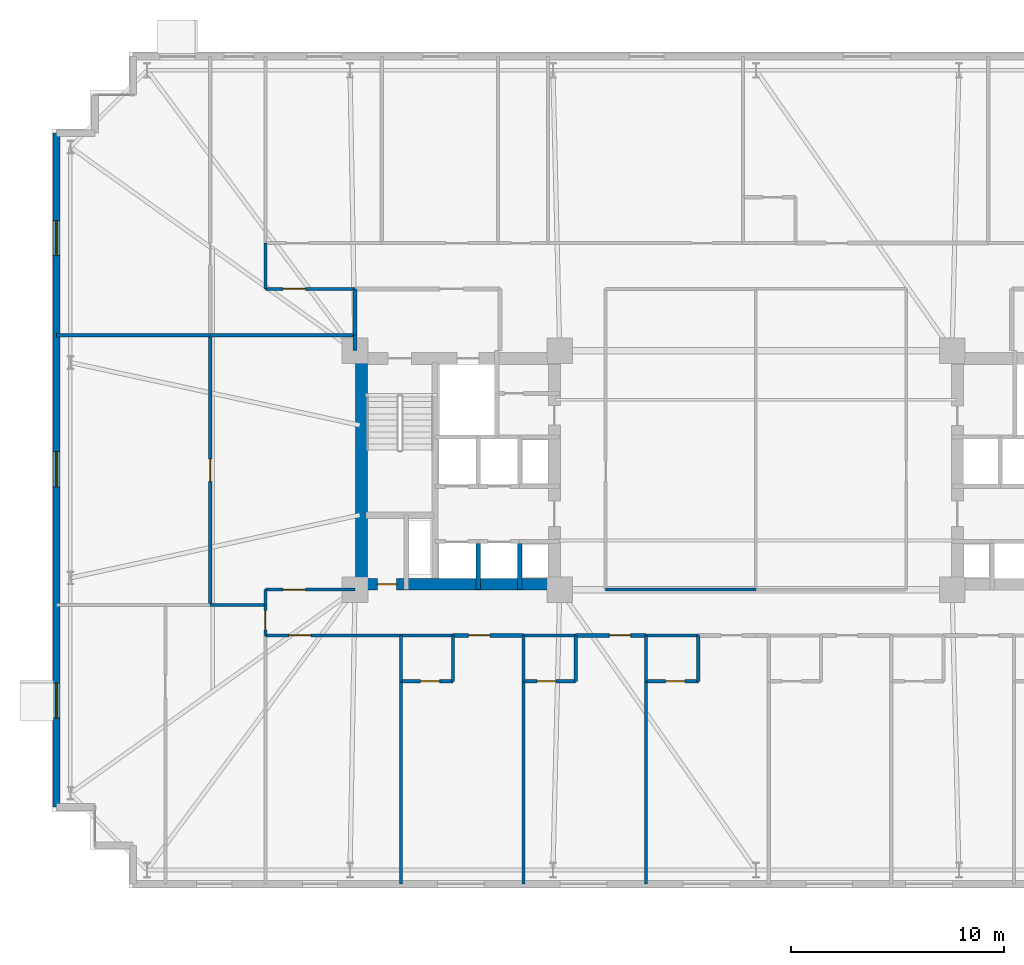
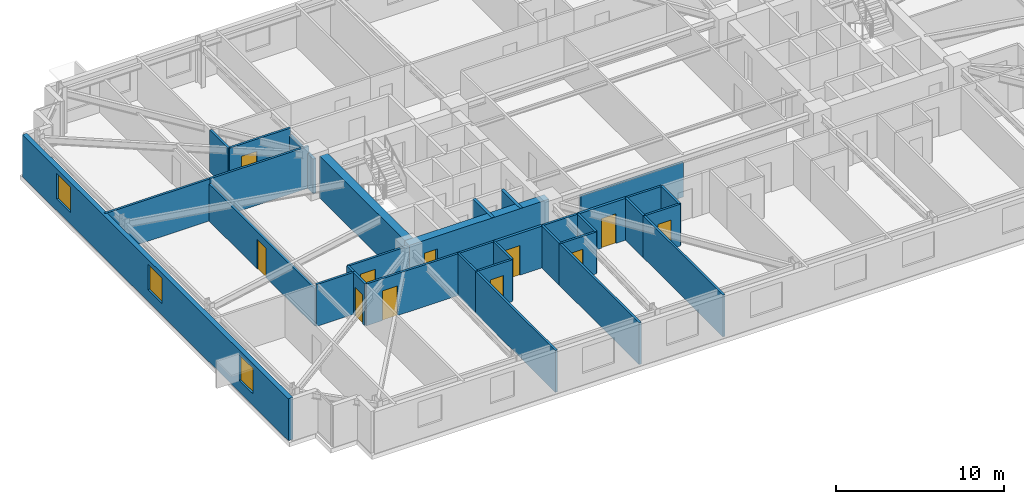
# One storey, part 14 of 20: 35 walls, 11 doors, 3 windows, 14 openings.
"""IFC4 building model written with IfcOpenShell, lengths in metres."""

import ifcopenshell
import ifcopenshell.guid

model = None  # the IFC model being written
_history = None  # IfcOwnerHistory: only IFC2X3 demands one
_inside = {}  # id of a spatial element -> (the spatial element, [elements in it])
_under = {}  # id of a project, library or spatial element -> (it, [spatial elements below it])
_declared = {}  # id of a project -> (the project, [libraries it declares])
_typed = {}  # id of a type object -> (the type object, [elements of that type])
_made_of = {}  # id of a material, layer set ... -> (it, [elements and type objects made of it])


def new_model(schema):
    """Start an empty IFC model of exactly this schema.

    Asked for "IFC4X3", IfcOpenShell would pick the latest addendum, in which some entities
    have other attributes; the version numbers below select the first issue.
    IFC2X3 requires an IfcOwnerHistory on every rooted entity: one is made here for all.
    """
    global model, _history
    if schema == "IFC4X3":
        model = ifcopenshell.file(schema_version=(4, 3, 0, 0))
    else:
        model = ifcopenshell.file(schema=schema)
    _inside.clear()
    _under.clear()
    _declared.clear()
    _typed.clear()
    _made_of.clear()
    _history = None
    if model.schema == "IFC2X3":
        org = make("IfcOrganization", Name="unknown")
        user = make(
            "IfcPersonAndOrganization",
            ThePerson=make("IfcPerson", FamilyName="unknown"),
            TheOrganization=org,
        )
        app = make(
            "IfcApplication",
            ApplicationDeveloper=org,
            Version="unknown",
            ApplicationFullName="unknown",
            ApplicationIdentifier="unknown",
        )
        _history = make(
            "IfcOwnerHistory",
            OwningUser=user,
            OwningApplication=app,
            ChangeAction="ADDED",
            CreationDate=0,
        )
    return model


def make(cls, **values):
    """One entity of the class cls with the attributes given. An attribute that is None is left unset."""
    return model.create_entity(
        cls, **{name: value for name, value in values.items() if value is not None}
    )


def rooted(cls, **values):
    """An entity with a GlobalId (a new one), such as an element, a storey or a relation."""
    return make(cls, GlobalId=ifcopenshell.guid.new(), OwnerHistory=_history, **values)


def si_unit(unit_type, name, prefix=None):
    """IfcSIUnit, for example si_unit("LENGTHUNIT", "METRE", prefix="MILLI")."""
    return make("IfcSIUnit", UnitType=unit_type, Prefix=prefix, Name=name)


def assignment(units):
    """IfcUnitAssignment: the units of a project."""
    return None if units is None else make("IfcUnitAssignment", Units=units)


def point(xyz):
    """IfcCartesianPoint."""
    return None if xyz is None else make("IfcCartesianPoint", Coordinates=xyz)


def direction(xyz):
    """IfcDirection."""
    return None if xyz is None else make("IfcDirection", DirectionRatios=xyz)


def frame(location, z_axis=None, x_axis=None):
    """IfcAxis2Placement3D, a coordinate frame: its origin and axes. An axis left out is left unset."""
    return make(
        "IfcAxis2Placement3D",
        Location=point(location),
        Axis=direction(z_axis),
        RefDirection=direction(x_axis),
    )


def frame_2d(location, x_axis=None):
    """IfcAxis2Placement2D, a coordinate frame in the plane: its origin and x axis."""
    return make(
        "IfcAxis2Placement2D", Location=point(location), RefDirection=direction(x_axis)
    )


def origin():
    """The frame at (0, 0, 0) with its axes left unset."""
    return frame((0.0, 0.0, 0.0))


def place(relative_to, where):
    """IfcLocalPlacement: puts the frame where relative to a parent placement (None: the world)."""
    return make(
        "IfcLocalPlacement", PlacementRelTo=relative_to, RelativePlacement=where
    )


def context(
    kind, dimensions, precision=None, world=None, true_north=None, identifier=None
):
    """IfcGeometricRepresentationContext, for example the 3D "Model" context."""
    return make(
        "IfcGeometricRepresentationContext",
        ContextIdentifier=identifier,
        ContextType=kind,
        CoordinateSpaceDimension=dimensions,
        Precision=precision,
        WorldCoordinateSystem=world,
        TrueNorth=true_north,
    )


def subcontext(parent, identifier, kind, view, scale=None):
    """IfcGeometricRepresentationSubContext, for example "Body" below "Model"."""
    return make(
        "IfcGeometricRepresentationSubContext",
        ContextIdentifier=identifier,
        ContextType=kind,
        ParentContext=parent,
        TargetScale=scale,
        TargetView=view,
    )


def project(units=None, contexts=None):
    """IfcProject with its units and contexts."""
    return rooted(
        "IfcProject",
        Name="project",
        RepresentationContexts=contexts,
        UnitsInContext=assignment(units),
    )


def spatial(cls, under=None, at=None, **own):
    """A site, building, storey or space (cls), placed at a placement, below another one or the project."""
    s = rooted(cls, ObjectPlacement=at, **own)
    if under is not None:
        _under.setdefault(under.id(), (under, []))[1].append(s)
    return s


def profile(cls, at=None, kind="AREA", **sizes):
    """A parametric profile (cls). Its sizes go by their IFC names, for example OverallWidth=200.0."""
    return make(cls, ProfileType=kind, Position=at, **sizes)


def rectangle(**sizes):
    """IfcRectangleProfileDef."""
    return profile("IfcRectangleProfileDef", **sizes)


def extrude(swept, where, along, depth):
    """IfcExtrudedAreaSolid: the profile swept, set in the frame where, extruded along a direction by depth."""
    return make(
        "IfcExtrudedAreaSolid",
        SweptArea=swept,
        Position=where,
        ExtrudedDirection=direction(along),
        Depth=depth,
    )


def shape(context_of_items, identifier, shape_type, items):
    """IfcShapeRepresentation: the items that make up one representation, for example the "Body"."""
    return make(
        "IfcShapeRepresentation",
        ContextOfItems=context_of_items,
        RepresentationIdentifier=identifier,
        RepresentationType=shape_type,
        Items=items,
    )


def material(Name=None, Category=None):
    """IfcMaterial."""
    return make("IfcMaterial", Name=Name, Category=Category)


def layer(
    of_material, thickness, ventilated=None, Name=None, Category=None, Priority=None
):
    """IfcMaterialLayer: one layer of a wall or slab, of a material (None: an air gap)."""
    return make(
        "IfcMaterialLayer",
        Material=of_material,
        LayerThickness=thickness,
        IsVentilated=ventilated,
        Name=Name,
        Category=Category,
        Priority=Priority,
    )


def layer_set(layers, Name=None):
    """IfcMaterialLayerSet."""
    return make("IfcMaterialLayerSet", MaterialLayers=layers, LayerSetName=Name)


def made_of(thing, what):
    """Note that an element or type object is made of a material, layer set ...; save() writes the relation."""
    if what is not None:
        _made_of.setdefault(what.id(), (what, []))[1].append(thing)
    return thing


def type_object(cls, material=None, **own):
    """A type object (cls), such as IfcWallType, which elements share."""
    return made_of(rooted(cls, **own), material)


def element(
    cls,
    number,
    at=None,
    inside=None,
    cuts=None,
    type_object=None,
    material=None,
    context=None,
    identifier="Body",
    shape_type=None,
    held_by="IfcProductDefinitionShape",
    body=None,
    shapes=None,
    **own,
):
    """One element of the class cls, such as IfcWall. Its Tag is "e" and its number.

    at: its placement. inside: the storey or other place that contains it. cuts: it is an
    opening in that element (IfcRelVoidsElement). A single representation is given by context,
    identifier, shape_type and body (its items); several are given by shapes. held_by: the class
    of the entity that holds the representations. save() writes the other relations.
    """
    e = rooted(cls, Tag="e%d" % number, ObjectPlacement=at, **own)
    if body is not None:
        shapes = [shape(context, identifier, shape_type, body)]
    if shapes is not None:
        e.Representation = make(held_by, Representations=shapes)
    if inside is not None:
        _inside.setdefault(inside.id(), (inside, []))[1].append(e)
    if cuts is not None:
        rooted(
            "IfcRelVoidsElement", RelatingBuildingElement=cuts, RelatedOpeningElement=e
        )
    if type_object is not None:
        _typed.setdefault(type_object.id(), (type_object, []))[1].append(e)
    return made_of(e, material)


def fill(opening, filler):
    """IfcRelFillsElement: the door or window that sits in an opening."""
    return rooted(
        "IfcRelFillsElement",
        RelatingOpeningElement=opening,
        RelatedBuildingElement=filler,
    )


def aggregate(whole, parts):
    """IfcRelAggregates: a whole, such as a stair, and the parts it consists of."""
    return rooted("IfcRelAggregates", RelatingObject=whole, RelatedObjects=parts)


def save(model, path):
    """Write the relations noted so far, then the file.

    IfcRelAggregates (storeys below a building ...), IfcRelContainedInSpatialStructure (elements
    in a storey), IfcRelDefinesByType, IfcRelAssociatesMaterial and IfcRelDeclares: one each for
    every whole, place, type object, material and project.
    """
    for whole, parts in _under.values():
        aggregate(whole, parts)
    for where, things in _inside.values():
        rooted(
            "IfcRelContainedInSpatialStructure",
            RelatedElements=things,
            RelatingStructure=where,
        )
    for kind, things in _typed.values():
        rooted("IfcRelDefinesByType", RelatedObjects=things, RelatingType=kind)
    for what, things in _made_of.values():
        rooted("IfcRelAssociatesMaterial", RelatedObjects=things, RelatingMaterial=what)
    for by, libraries in _declared.values():
        rooted("IfcRelDeclares", RelatingContext=by, RelatedDefinitions=libraries)
    model.write(path)


model = new_model("IFC4")

# Units and contexts
model_context = context("Model", 3, precision=1e-05, world=origin(), true_north=direction((0.0, 1.0)))
body_context = subcontext(model_context, "Body", "Model", "MODEL_VIEW")
ifc_project = project(units=[si_unit("LENGTHUNIT", "METRE"), si_unit("AREAUNIT", "SQUARE_METRE"), si_unit("VOLUMEUNIT", "CUBIC_METRE"), si_unit("PLANEANGLEUNIT", "RADIAN"), si_unit("MASSUNIT", "GRAM", prefix="KILO")], contexts=[model_context])

# Site, building, storey
site_placement = place(None, origin())
site = spatial("IfcSite", under=ifc_project, at=site_placement, CompositionType="ELEMENT")
building_placement = place(site_placement, origin())
building = spatial("IfcBuilding", under=site, at=building_placement, Name="Qobustan Lattice House", CompositionType="ELEMENT")
storey_placement = place(building_placement, frame((0.0, 0.0, 63.85009765625)))
storey = spatial("IfcBuildingStorey", under=building, at=storey_placement, Name="L17", CompositionType="ELEMENT", Elevation=63.85009765625)

# Wall, opening, door
ifc_material_1 = material(Name="Concrete C60/75", Category="concrete")
ifc_layer_1 = layer(ifc_material_1, 0.56005859375)
ifc_layer_set_1 = layer_set([ifc_layer_1], Name="Concrete C60/75")
wall_type_1 = type_object("IfcWallType", Name="WAL-CORE-600", PredefinedType="SHEAR", material=ifc_layer_set_1)
wall_1_placement = place(storey_placement, frame((-18.800048828125, -5.35009765625, 0.0), z_axis=(0.0, 0.0, 1.0), x_axis=(1.0, 0.0, 0.0)))
wall_1 = element("IfcWall", 1, at=wall_1_placement, inside=storey, type_object=wall_type_1, Name="L17 split-core shear wall CW-S", PredefinedType="SHEAR", context=body_context, shape_type="SweptSolid", body=[
    extrude(rectangle(XDim=9.60009765625, YDim=0.56005859375, at=frame_2d((4.800048828125, 0.0))), origin(), (0.0, 0.0, 1.0), 3.034912109375),
])
opening_1_placement = place(wall_1_placement, frame((1.050048828125, 0.0, 0.0)))
opening_1 = element("IfcOpeningElement", 2, at=opening_1_placement, cuts=wall_1, Name="Opening RD-01", PredefinedType="OPENING", context=body_context, shape_type="SweptSolid", body=[
    extrude(rectangle(XDim=0.89990234375, YDim=2.10009765625, at=frame_2d((0.449951171875, 1.050048828125))), frame((0.0, 0.2900390625, 0.0), z_axis=(0.0, -1.0, 0.0), x_axis=(1.0, 0.0, 0.0)), (0.0, 0.0, 1.0), 0.580078125),
])
ifc_material_2 = material(Name="Persian walnut timber and steel frame door", Category="steel")
door_type_1 = type_object("IfcDoorType", Name="DOR-RISER-FD-900x2100", OperationType="NOTDEFINED", PredefinedType="DOOR", material=ifc_material_2)
door_1_placement = place(opening_1_placement, origin())
door_1 = element("IfcDoor", 3, at=door_1_placement, inside=storey, type_object=door_type_1, Name="L17 core service riser access door W", OperationType="SINGLE_SWING_RIGHT", OverallHeight=2.10009765625, OverallWidth=0.89990234375, PredefinedType="DOOR", context=body_context, shape_type="SweptSolid", body=[
    extrude(rectangle(XDim=0.89990234375, YDim=2.10009765625, at=frame_2d((0.449951171875, 1.050048828125))), frame((0.0, 0.02490234375, 0.0), z_axis=(0.0, -1.0, 0.0), x_axis=(1.0, 0.0, 0.0)), (0.0, 0.0, 1.0), 0.050048828125),
])
fill(opening_1, door_1)

# Wall
wall_2_placement = place(storey_placement, frame((-18.489990234375, -5.050048828125, 0.0), z_axis=(0.0, 0.0, 1.0), x_axis=(0.0, 1.0, 0.0)))
element("IfcWall", 4, at=wall_2_placement, inside=storey, type_object=wall_type_1, Name="L17 split-core shear wall CW-W", PredefinedType="SHEAR", context=body_context, shape_type="SweptSolid", body=[
    extrude(rectangle(XDim=10.10009765625, YDim=0.56005859375, at=frame_2d((5.050048828125, 0.0))), origin(), (0.0, 0.0, 1.0), 3.034912109375),
])

# Wall, openings, windows
ifc_material_3 = material(Name="Precast concrete C40/50", Category="concrete")
ifc_layer_2 = layer(ifc_material_3, 0.320068359375)
ifc_layer_set_2 = layer_set([ifc_layer_2], Name="Precast concrete C40/50")
wall_type_2 = type_object("IfcWallType", Name="WAL-EXT-STONE-320", PredefinedType="SOLIDWALL", material=ifc_layer_set_2)
wall_3_placement = place(storey_placement, frame((-32.800048828125, -15.800048828125, 0.0), z_axis=(0.0, 0.0, 1.0), x_axis=(0.0, 1.0, 0.0)))
wall_3 = element("IfcWall", 5, at=wall_3_placement, inside=storey, type_object=wall_type_2, Name="L17 exterior limestone-clad wall 5", PredefinedType="SOLIDWALL", context=body_context, shape_type="SweptSolid", body=[
    extrude(rectangle(XDim=31.60009765625, YDim=0.320068359375, at=frame_2d((15.800048828125, 0.0))), origin(), (0.0, 0.0, 1.0), 3.034912109375),
])
opening_2_placement = place(wall_3_placement, frame((4.175048828125, 0.0, 0.85009765625)))
opening_2 = element("IfcOpeningElement", 6, at=opening_2_placement, cuts=wall_3, Name="Opening WN-09", PredefinedType="OPENING", context=body_context, shape_type="SweptSolid", body=[
    extrude(rectangle(XDim=1.64990234375, YDim=1.85009765625, at=frame_2d((0.824951171875, 0.925048828125))), frame((0.0, 0.169921875, 0.0), z_axis=(0.0, -1.0, 0.0), x_axis=(1.0, 0.0, 0.0)), (0.0, 0.0, 1.0), 0.340087890625),
])
opening_3_placement = place(wall_3_placement, frame((15.014892578125, 0.0, 0.85009765625)))
opening_3 = element("IfcOpeningElement", 7, at=opening_3_placement, cuts=wall_3, Name="Opening WN-09", PredefinedType="OPENING", context=body_context, shape_type="SweptSolid", body=[
    extrude(rectangle(XDim=1.64990234375, YDim=1.85009765625, at=frame_2d((0.824951171875, 0.925048828125))), frame((0.0, 0.169921875, 0.0), z_axis=(0.0, -1.0, 0.0), x_axis=(1.0, 0.0, 0.0)), (0.0, 0.0, 1.0), 0.340087890625),
])
opening_4_placement = place(wall_3_placement, frame((25.85498046875, 0.0, 0.85009765625)))
opening_4 = element("IfcOpeningElement", 8, at=opening_4_placement, cuts=wall_3, Name="Opening WN-09", PredefinedType="OPENING", context=body_context, shape_type="SweptSolid", body=[
    extrude(rectangle(XDim=1.64990234375, YDim=1.85009765625, at=frame_2d((0.824951171875, 0.925048828125))), frame((0.0, 0.169921875, 0.0), z_axis=(0.0, -1.0, 0.0), x_axis=(1.0, 0.0, 0.0)), (0.0, 0.0, 1.0), 0.340087890625),
])
ifc_material_4 = material(Name="Double-glazed low-E aluminium window", Category="aluminium")
window_type = type_object("IfcWindowType", Name="WIN-STU-1650x1850", PartitioningType="SINGLE_PANEL", PredefinedType="WINDOW", material=ifc_material_4)
window_1_placement = place(opening_2_placement, origin())
window_1 = element("IfcWindow", 9, at=window_1_placement, inside=storey, type_object=window_type, Name="L17 Focus study room W1A window", OverallHeight=1.85009765625, OverallWidth=1.64990234375, PartitioningType="SINGLE_PANEL", PredefinedType="WINDOW", context=body_context, shape_type="SweptSolid", body=[
    extrude(rectangle(XDim=1.64990234375, YDim=1.85009765625, at=frame_2d((0.824951171875, 0.925048828125))), frame((0.0, 0.030029296875, 0.0), z_axis=(0.0, -1.0, 0.0), x_axis=(1.0, 0.0, 0.0)), (0.0, 0.0, 1.0), 0.06005859375),
])
fill(opening_2, window_1)
window_2_placement = place(opening_3_placement, origin())
window_2 = element("IfcWindow", 10, at=window_2_placement, inside=storey, type_object=window_type, Name="L17 Focus study room W2A window", OverallHeight=1.85009765625, OverallWidth=1.64990234375, PartitioningType="SINGLE_PANEL", PredefinedType="WINDOW", context=body_context, shape_type="SweptSolid", body=[
    extrude(rectangle(XDim=1.64990234375, YDim=1.85009765625, at=frame_2d((0.824951171875, 0.925048828125))), frame((0.0, 0.030029296875, 0.0), z_axis=(0.0, -1.0, 0.0), x_axis=(1.0, 0.0, 0.0)), (0.0, 0.0, 1.0), 0.06005859375),
])
fill(opening_3, window_2)
window_3_placement = place(opening_4_placement, origin())
window_3 = element("IfcWindow", 11, at=window_3_placement, inside=storey, type_object=window_type, Name="L17 Focus study room W3A window", OverallHeight=1.85009765625, OverallWidth=1.64990234375, PartitioningType="SINGLE_PANEL", PredefinedType="WINDOW", context=body_context, shape_type="SweptSolid", body=[
    extrude(rectangle(XDim=1.64990234375, YDim=1.85009765625, at=frame_2d((0.824951171875, 0.925048828125))), frame((0.0, 0.030029296875, 0.0), z_axis=(0.0, -1.0, 0.0), x_axis=(1.0, 0.0, 0.0)), (0.0, 0.0, 1.0), 0.06005859375),
])
fill(opening_4, window_3)

# Wall, opening, door
ifc_material_5 = material(Name="Gypsum fireboard acoustic partition", Category="gypsum")
ifc_layer_3 = layer(ifc_material_5, 0.179931640625)
ifc_layer_set_3 = layer_set([ifc_layer_3], Name="Gypsum fireboard acoustic partition")
wall_type_3 = type_object("IfcWallType", Name="WAL-FIRE-180", PredefinedType="PARTITIONING", material=ifc_layer_set_3)
wall_4_placement = place(storey_placement, frame((-10.89990234375, -7.75, 0.0), z_axis=(0.0, 0.0, 1.0), x_axis=(-1.0, 0.0, 0.0)))
wall_4 = element("IfcWall", 12, at=wall_4_placement, inside=storey, type_object=wall_type_3, Name="L17 interior partition 57", PredefinedType="PARTITIONING", context=body_context, shape_type="SweptSolid", body=[
    extrude(rectangle(XDim=3.300048828125, YDim=0.179931640625, at=frame_2d((1.64990234375, 0.0))), origin(), (0.0, 0.0, 1.0), 3.034912109375),
])
opening_5_placement = place(wall_4_placement, frame((1.577392578125, 0.0, 0.0)))
opening_5 = element("IfcOpeningElement", 13, at=opening_5_placement, cuts=wall_4, Name="Opening FD-02", PredefinedType="OPENING", context=body_context, shape_type="SweptSolid", body=[
    extrude(rectangle(XDim=1.0, YDim=2.14990234375, at=frame_2d((0.5, 1.074951171875))), frame((0.0, 0.099853515625, 0.0), z_axis=(0.0, -1.0, 0.0), x_axis=(1.0, 0.0, 0.0)), (0.0, 0.0, 1.0), 0.199951171875),
])
ifc_material_6 = material(Name="Persian walnut timber and steel frame door", Category="steel")
door_type_2 = type_object("IfcDoorType", Name="DOR-UNIT-FD-1000x2150", OperationType="NOTDEFINED", PredefinedType="DOOR", material=ifc_material_6)
door_2_placement = place(opening_5_placement, origin())
door_2 = element("IfcDoor", 14, at=door_2_placement, inside=storey, type_object=door_type_2, Name="L17 South-west floor corridor to Kitchenette and studio apartment L17-S2 door", OperationType="SINGLE_SWING_LEFT", OverallHeight=2.14990234375, OverallWidth=1.0, PredefinedType="DOOR", context=body_context, shape_type="SweptSolid", body=[
    extrude(rectangle(XDim=1.0, YDim=2.14990234375, at=frame_2d((0.5, 1.074951171875))), frame((0.0, 0.02490234375, 0.0), z_axis=(0.0, -1.0, 0.0), x_axis=(1.0, 0.0, 0.0)), (0.0, 0.0, 1.0), 0.050048828125),
])
fill(opening_5, door_2)

wall_5_placement = place(storey_placement, frame((-5.14990234375, -7.75, 0.0), z_axis=(0.0, 0.0, 1.0), x_axis=(-1.0, 0.0, 0.0)))
wall_5 = element("IfcWall", 15, at=wall_5_placement, inside=storey, type_object=wall_type_3, Name="L17 interior partition 59", PredefinedType="PARTITIONING", context=body_context, shape_type="SweptSolid", body=[
    extrude(rectangle(XDim=3.300048828125, YDim=0.179931640625, at=frame_2d((1.64990234375, 0.0))), origin(), (0.0, 0.0, 1.0), 3.034912109375),
])
opening_6_placement = place(wall_5_placement, frame((0.722412109375, 0.0, 0.0)))
opening_6 = element("IfcOpeningElement", 16, at=opening_6_placement, cuts=wall_5, Name="Opening FD-02", PredefinedType="OPENING", context=body_context, shape_type="SweptSolid", body=[
    extrude(rectangle(XDim=1.0, YDim=2.14990234375, at=frame_2d((0.5, 1.074951171875))), frame((0.0, 0.099853515625, 0.0), z_axis=(0.0, -1.0, 0.0), x_axis=(1.0, 0.0, 0.0)), (0.0, 0.0, 1.0), 0.199951171875),
])
door_3_placement = place(opening_6_placement, origin())
door_3 = element("IfcDoor", 17, at=door_3_placement, inside=storey, type_object=door_type_2, Name="L17 South-west floor corridor to Kitchenette and studio apartment L17-S3 door", OperationType="SINGLE_SWING_RIGHT", OverallHeight=2.14990234375, OverallWidth=1.0, PredefinedType="DOOR", context=body_context, shape_type="SweptSolid", body=[
    extrude(rectangle(XDim=1.0, YDim=2.14990234375, at=frame_2d((0.5, 1.074951171875))), frame((0.0, 0.02490234375, 0.0), z_axis=(0.0, -1.0, 0.0), x_axis=(1.0, 0.0, 0.0)), (0.0, 0.0, 1.0), 0.050048828125),
])
fill(opening_6, door_3)

ifc_material_7 = material(Name="Acoustic twin-stud gypsum partition", Category="gypsum")
ifc_layer_4 = layer(ifc_material_7, 0.14990234375)
ifc_layer_set_4 = layer_set([ifc_layer_4], Name="Acoustic twin-stud gypsum partition")
wall_type_4 = type_object("IfcWallType", Name="WAL-PART-150", PredefinedType="PARTITIONING", material=ifc_layer_set_4)
wall_6_placement = place(storey_placement, frame((-18.800048828125, 8.5, 0.0), z_axis=(0.0, 0.0, 1.0), x_axis=(-1.0, 0.0, 0.0)))
wall_6 = element("IfcWall", 18, at=wall_6_placement, inside=storey, type_object=wall_type_4, Name="L17 interior partition 38", PredefinedType="PARTITIONING", context=body_context, shape_type="SweptSolid", body=[
    extrude(rectangle(XDim=4.199951171875, YDim=0.14990234375, at=frame_2d((2.10009765625, 0.0))), origin(), (0.0, 0.0, 1.0), 3.034912109375),
])
opening_7_placement = place(wall_6_placement, frame((2.3212890625, 0.0, 0.0)))
opening_7 = element("IfcOpeningElement", 19, at=opening_7_placement, cuts=wall_6, Name="Opening ID-02", PredefinedType="OPENING", context=body_context, shape_type="SweptSolid", body=[
    extrude(rectangle(XDim=1.050048828125, YDim=2.14990234375, at=frame_2d((0.52490234375, 1.074951171875))), frame((0.0, 0.0849609375, 0.0), z_axis=(0.0, -1.0, 0.0), x_axis=(1.0, 0.0, 0.0)), (0.0, 0.0, 1.0), 0.169921875),
])
ifc_material_8 = material(Name="Persian walnut timber and steel frame door", Category="steel")
door_type_3 = type_object("IfcDoorType", Name="DOR-STUDY-1050x2150", OperationType="NOTDEFINED", PredefinedType="DOOR", material=ifc_material_8)
door_4_placement = place(opening_7_placement, origin())
door_4 = element("IfcDoor", 20, at=door_4_placement, inside=storey, type_object=door_type_3, Name="L17 North-west floor corridor to Focus study room W3B door", OperationType="SINGLE_SWING_LEFT", OverallHeight=2.14990234375, OverallWidth=1.050048828125, PredefinedType="DOOR", context=body_context, shape_type="SweptSolid", body=[
    extrude(rectangle(XDim=1.050048828125, YDim=2.14990234375, at=frame_2d((0.52490234375, 1.074951171875))), frame((0.0, 0.02490234375, 0.0), z_axis=(0.0, -1.0, 0.0), x_axis=(1.0, 0.0, 0.0)), (0.0, 0.0, 1.0), 0.050048828125),
])
fill(opening_7, door_4)

# Wall
wall_7_placement = place(storey_placement, frame((-23.0, 8.5, 0.0), z_axis=(0.0, 0.0, 1.0), x_axis=(0.0, 1.0, 0.0)))
element("IfcWall", 21, at=wall_7_placement, inside=storey, type_object=wall_type_4, Name="L17 interior partition 39", PredefinedType="PARTITIONING", context=body_context, shape_type="SweptSolid", body=[
    extrude(rectangle(XDim=2.14990234375, YDim=0.14990234375, at=frame_2d((1.074951171875, 0.0))), origin(), (0.0, 0.0, 1.0), 3.034912109375),
])

# Wall, opening, door
wall_8_placement = place(storey_placement, frame((-23.0, -7.75, 0.0), z_axis=(0.0, 0.0, 1.0), x_axis=(0.0, 1.0, 0.0)))
wall_8 = element("IfcWall", 22, at=wall_8_placement, inside=storey, type_object=wall_type_4, Name="L17 interior partition 53", PredefinedType="PARTITIONING", context=body_context, shape_type="SweptSolid", body=[
    extrude(rectangle(XDim=1.423095703125, YDim=0.14990234375, at=frame_2d((0.71142578125, 0.0))), origin(), (0.0, 0.0, 1.0), 3.034912109375),
])
opening_8_placement = place(wall_8_placement, frame((0.261474609375, 0.0, 0.0)))
opening_8 = element("IfcOpeningElement", 23, at=opening_8_placement, cuts=wall_8, Name="Opening WD-01", PredefinedType="OPENING", context=body_context, shape_type="SweptSolid", body=[
    extrude(rectangle(XDim=0.89990234375, YDim=2.10009765625, at=frame_2d((0.449951171875, 1.050048828125))), frame((0.0, 0.0849609375, 0.0), z_axis=(0.0, -1.0, 0.0), x_axis=(1.0, 0.0, 0.0)), (0.0, 0.0, 1.0), 0.169921875),
])
ifc_material_9 = material(Name="Persian walnut timber and steel frame door", Category="steel")
door_type_4 = type_object("IfcDoorType", Name="DOR-WET-900x2100", OperationType="NOTDEFINED", PredefinedType="DOOR", material=ifc_material_9)
door_5_placement = place(opening_8_placement, origin())
door_5 = element("IfcDoor", 24, at=door_5_placement, inside=storey, type_object=door_type_4, Name="L17 South-west floor corridor to Focus study room W1B door", OperationType="SINGLE_SWING_RIGHT", OverallHeight=2.10009765625, OverallWidth=0.89990234375, PredefinedType="DOOR", context=body_context, shape_type="SweptSolid", body=[
    extrude(rectangle(XDim=0.89990234375, YDim=2.10009765625, at=frame_2d((0.449951171875, 1.050048828125))), frame((0.0, 0.02490234375, 0.0), z_axis=(0.0, -1.0, 0.0), x_axis=(1.0, 0.0, 0.0)), (0.0, 0.0, 1.0), 0.050048828125),
])
fill(opening_8, door_5)

wall_9_placement = place(storey_placement, frame((-23.0, -5.60009765625, 0.0), z_axis=(0.0, 0.0, 1.0), x_axis=(1.0, 0.0, 0.0)))
wall_9 = element("IfcWall", 25, at=wall_9_placement, inside=storey, type_object=wall_type_4, Name="L17 interior partition 54", PredefinedType="PARTITIONING", context=body_context, shape_type="SweptSolid", body=[
    extrude(rectangle(XDim=4.199951171875, YDim=0.14990234375, at=frame_2d((2.10009765625, 0.0))), origin(), (0.0, 0.0, 1.0), 3.034912109375),
])
opening_9_placement = place(wall_9_placement, frame((0.82861328125, 0.0, 0.0)))
opening_9 = element("IfcOpeningElement", 26, at=opening_9_placement, cuts=wall_9, Name="Opening ID-02", PredefinedType="OPENING", context=body_context, shape_type="SweptSolid", body=[
    extrude(rectangle(XDim=1.050048828125, YDim=2.14990234375, at=frame_2d((0.52490234375, 1.074951171875))), frame((0.0, 0.0849609375, 0.0), z_axis=(0.0, -1.0, 0.0), x_axis=(1.0, 0.0, 0.0)), (0.0, 0.0, 1.0), 0.169921875),
])
door_6_placement = place(opening_9_placement, origin())
door_6 = element("IfcDoor", 27, at=door_6_placement, inside=storey, type_object=door_type_3, Name="L17 South-west floor corridor to Focus study room W2B door", OperationType="SINGLE_SWING_LEFT", OverallHeight=2.14990234375, OverallWidth=1.050048828125, PredefinedType="DOOR", context=body_context, shape_type="SweptSolid", body=[
    extrude(rectangle(XDim=1.050048828125, YDim=2.14990234375, at=frame_2d((0.52490234375, 1.074951171875))), frame((0.0, 0.02490234375, 0.0), z_axis=(0.0, -1.0, 0.0), x_axis=(1.0, 0.0, 0.0)), (0.0, 0.0, 1.0), 0.050048828125),
])
fill(opening_9, door_6)

# Wall
wall_10_placement = place(storey_placement, frame((-23.0, -6.326904296875, 0.0), z_axis=(0.0, 0.0, 1.0), x_axis=(0.0, 1.0, 0.0)))
element("IfcWall", 28, at=wall_10_placement, inside=storey, type_object=wall_type_4, Name="L17 interior partition 55", PredefinedType="PARTITIONING", context=body_context, shape_type="SweptSolid", body=[
    extrude(rectangle(XDim=0.726806640625, YDim=0.14990234375, at=frame_2d((0.36328125, 0.0))), origin(), (0.0, 0.0, 1.0), 3.034912109375),
])

# Wall, opening, door
wall_11_placement = place(storey_placement, frame((-16.64990234375, -7.75, 0.0), z_axis=(0.0, 0.0, 1.0), x_axis=(-1.0, 0.0, 0.0)))
wall_11 = element("IfcWall", 29, at=wall_11_placement, inside=storey, type_object=wall_type_4, Name="L17 interior partition 56", PredefinedType="PARTITIONING", context=body_context, shape_type="SweptSolid", body=[
    extrude(rectangle(XDim=6.35009765625, YDim=0.14990234375, at=frame_2d((3.175048828125, 0.0))), origin(), (0.0, 0.0, 1.0), 3.034912109375),
])
opening_10_placement = place(wall_11_placement, frame((4.202392578125, 0.0, 0.0)))
opening_10 = element("IfcOpeningElement", 30, at=opening_10_placement, cuts=wall_11, Name="Opening ID-02", PredefinedType="OPENING", context=body_context, shape_type="SweptSolid", body=[
    extrude(rectangle(XDim=1.050048828125, YDim=2.14990234375, at=frame_2d((0.52490234375, 1.074951171875))), frame((0.0, 0.0849609375, 0.0), z_axis=(0.0, -1.0, 0.0), x_axis=(1.0, 0.0, 0.0)), (0.0, 0.0, 1.0), 0.169921875),
])
door_7_placement = place(opening_10_placement, origin())
door_7 = element("IfcDoor", 31, at=door_7_placement, inside=storey, type_object=door_type_3, Name="L17 South-west floor corridor to Focus study room S1 door", OperationType="SINGLE_SWING_RIGHT", OverallHeight=2.14990234375, OverallWidth=1.050048828125, PredefinedType="DOOR", context=body_context, shape_type="SweptSolid", body=[
    extrude(rectangle(XDim=1.050048828125, YDim=2.14990234375, at=frame_2d((0.52490234375, 1.074951171875))), frame((0.0, 0.02490234375, 0.0), z_axis=(0.0, -1.0, 0.0), x_axis=(1.0, 0.0, 0.0)), (0.0, 0.0, 1.0), 0.050048828125),
])
fill(opening_10, door_7)

# Walls
wall_12_placement = place(storey_placement, frame((-7.050048828125, -5.60009765625, 0.0), z_axis=(0.0, 0.0, 1.0), x_axis=(1.0, 0.0, 0.0)))
element("IfcWall", 32, at=wall_12_placement, inside=storey, type_object=wall_type_4, Name="L17 interior partition 63", PredefinedType="PARTITIONING", context=body_context, shape_type="SweptSolid", body=[
    extrude(rectangle(XDim=7.050048828125, YDim=0.14990234375, at=frame_2d((3.52490234375, 0.0))), origin(), (0.0, 0.0, 1.0), 2.52001953125),
])
wall_13_placement = place(storey_placement, frame((-25.590087890625, -6.326904296875, 0.0), z_axis=(0.0, 0.0, 1.0), x_axis=(1.0, 0.0, 0.0)))
element("IfcWall", 33, at=wall_13_placement, inside=storey, type_object=wall_type_4, Name="L17 interior partition 80", PredefinedType="PARTITIONING", context=body_context, shape_type="SweptSolid", body=[
    extrude(rectangle(XDim=2.590087890625, YDim=0.14990234375, at=frame_2d((1.294921875, 0.0))), origin(), (0.0, 0.0, 1.0), 3.034912109375),
])

# Wall, opening, door
wall_14_placement = place(storey_placement, frame((-25.590087890625, 6.326904296875, 0.0), z_axis=(0.0, 0.0, 1.0), x_axis=(0.0, -1.0, 0.0)))
wall_14 = element("IfcWall", 34, at=wall_14_placement, inside=storey, type_object=wall_type_4, Name="L17 interior partition 82", PredefinedType="PARTITIONING", context=body_context, shape_type="SweptSolid", body=[
    extrude(rectangle(XDim=12.65380859375, YDim=0.14990234375, at=frame_2d((6.326904296875, 0.0))), origin(), (0.0, 0.0, 1.0), 2.68994140625),
])
opening_11_placement = place(wall_14_placement, frame((5.802001953125, 0.0, 0.0)))
opening_11 = element("IfcOpeningElement", 35, at=opening_11_placement, cuts=wall_14, Name="Opening ID-02", PredefinedType="OPENING", context=body_context, shape_type="SweptSolid", body=[
    extrude(rectangle(XDim=1.050048828125, YDim=2.14990234375, at=frame_2d((0.52490234375, 1.074951171875))), frame((0.0, 0.0849609375, 0.0), z_axis=(0.0, -1.0, 0.0), x_axis=(1.0, 0.0, 0.0)), (0.0, 0.0, 1.0), 0.169921875),
])
door_8_placement = place(opening_11_placement, origin())
door_8 = element("IfcDoor", 36, at=door_8_placement, inside=storey, type_object=door_type_3, Name="L17 Focus study room W2A to Focus study room W2B door", OperationType="SINGLE_SWING_RIGHT", OverallHeight=2.14990234375, OverallWidth=1.050048828125, PredefinedType="DOOR", context=body_context, shape_type="SweptSolid", body=[
    extrude(rectangle(XDim=1.050048828125, YDim=2.14990234375, at=frame_2d((0.52490234375, 1.074951171875))), frame((0.0, 0.02490234375, 0.0), z_axis=(0.0, -1.0, 0.0), x_axis=(1.0, 0.0, 0.0)), (0.0, 0.0, 1.0), 0.050048828125),
])
fill(opening_11, door_8)

# Walls
wall_15_placement = place(storey_placement, frame((-32.800048828125, 6.326904296875, 0.0), z_axis=(0.0, 0.0, 1.0), x_axis=(1.0, 0.0, 0.0)))
element("IfcWall", 37, at=wall_15_placement, inside=storey, type_object=wall_type_4, Name="L17 interior partition 83", PredefinedType="PARTITIONING", context=body_context, shape_type="SweptSolid", body=[
    extrude(rectangle(XDim=7.2099609375, YDim=0.14990234375, at=frame_2d((3.60498046875, 0.0))), origin(), (0.0, 0.0, 1.0), 3.034912109375),
])
wall_16_placement = place(storey_placement, frame((-25.590087890625, 6.326904296875, 0.0), z_axis=(0.0, 0.0, 1.0), x_axis=(1.0, 0.0, 0.0)))
element("IfcWall", 38, at=wall_16_placement, inside=storey, type_object=wall_type_4, Name="L17 interior partition 84", PredefinedType="PARTITIONING", context=body_context, shape_type="SweptSolid", body=[
    extrude(rectangle(XDim=6.7900390625, YDim=0.14990234375, at=frame_2d((3.39501953125, 0.0))), origin(), (0.0, 0.0, 1.0), 3.034912109375),
])
for number, where, z_axis, x_axis, name in (
    (39, (-16.64990234375, -9.89990234375, 0.0), (0.0, 0.0, 1.0), (0.0, -1.0, 0.0), "L17 interior partition 99"),
    (40, (-10.89990234375, -9.89990234375, 0.0), (0.0, 0.0, 1.0), (0.0, -1.0, 0.0), "L17 interior partition 103"),
    (41, (-5.14990234375, -9.89990234375, 0.0), (0.0, 0.0, 1.0), (0.0, -1.0, 0.0), "L17 interior partition 107"),
):
    element("IfcWall", number, at=place(storey_placement, frame(where, z_axis=z_axis, x_axis=x_axis)), inside=storey, type_object=wall_type_4, Name=name, PredefinedType="PARTITIONING", context=body_context, shape_type="SweptSolid", body=[
        extrude(rectangle(XDim=9.5, YDim=0.14990234375, at=frame_2d((4.75, 0.0))), origin(), (0.0, 0.0, 1.0), 3.034912109375),
    ])
ifc_material_10 = material(Name="Two-hour gypsum fireboard acoustic partition", Category="gypsum")
ifc_layer_5 = layer(ifc_material_10, 0.199951171875)
ifc_layer_set_5 = layer_set([ifc_layer_5], Name="Two-hour gypsum fireboard acoustic partition")
wall_type_5 = type_object("IfcWallType", Name="WAL-PROT-200", PredefinedType="PARTITIONING", material=ifc_layer_set_5)
wall_17_placement = place(storey_placement, frame((-18.800048828125, 6.326904296875, 0.0), z_axis=(0.0, 0.0, 1.0), x_axis=(0.0, -1.0, 0.0)))
element("IfcWall", 42, at=wall_17_placement, inside=storey, type_object=wall_type_5, Name="L17 interior partition 6", PredefinedType="PARTITIONING", context=body_context, shape_type="SweptSolid", body=[
    extrude(rectangle(XDim=0.726806640625, YDim=0.199951171875, at=frame_2d((0.36328125, 0.0))), origin(), (0.0, 0.0, 1.0), 2.52001953125),
])
wall_18_placement = place(storey_placement, frame((-18.800048828125, 8.5, 0.0), z_axis=(0.0, 0.0, 1.0), x_axis=(0.0, -1.0, 0.0)))
element("IfcWall", 43, at=wall_18_placement, inside=storey, type_object=wall_type_5, Name="L17 interior partition 7", PredefinedType="PARTITIONING", context=body_context, shape_type="SweptSolid", body=[
    extrude(rectangle(XDim=2.173095703125, YDim=0.199951171875, at=frame_2d((1.08642578125, 0.0))), origin(), (0.0, 0.0, 1.0), 2.52001953125),
])
ifc_material_11 = material(Name="Concrete C40/50", Category="concrete")
ifc_layer_6 = layer(ifc_material_11, 0.199951171875)
ifc_layer_set_6 = layer_set([ifc_layer_6], Name="Concrete C40/50")
wall_type_6 = type_object("IfcWallType", Name="WAL-SHAFT-200", PredefinedType="PARTITIONING", material=ifc_layer_set_6)
for number, where, z_axis, x_axis, name in (
    (44, (-13.02001953125, -5.60009765625, 0.0), (0.0, 0.0, 1.0), (0.0, 1.0, 0.0), "L17 interior partition 17"),
    (45, (-11.080078125, -5.60009765625, 0.0), (0.0, 0.0, 1.0), (0.0, 1.0, 0.0), "L17 interior partition 18"),
):
    element("IfcWall", number, at=place(storey_placement, frame(where, z_axis=z_axis, x_axis=x_axis)), inside=storey, type_object=wall_type_6, Name=name, PredefinedType="PARTITIONING", context=body_context, shape_type="SweptSolid", body=[
        extrude(rectangle(XDim=2.25, YDim=0.199951171875, at=frame_2d((1.125, 0.0))), origin(), (0.0, 0.0, 1.0), 3.034912109375),
    ])
ifc_material_12 = material(Name="Moisture-resistant acoustic plumbing wall", Category="gypsum")
ifc_layer_7 = layer(ifc_material_12, 0.14990234375)
ifc_layer_set_7 = layer_set([ifc_layer_7], Name="Moisture-resistant acoustic plumbing wall")
wall_type_7 = type_object("IfcWallType", Name="WAL-WET-150", PredefinedType="PLUMBINGWALL", material=ifc_layer_set_7)
for number, where, z_axis, x_axis, name in (
    (46, (-14.199951171875, -7.75, 0.0), (0.0, 0.0, 1.0), (-1.0, 0.0, 0.0), "L17 interior partition 58"),
    (47, (-8.449951171875, -7.75, 0.0), (0.0, 0.0, 1.0), (-1.0, 0.0, 0.0), "L17 interior partition 60"),
    (48, (-2.699951171875, -7.75, 0.0), (0.0, 0.0, 1.0), (-1.0, 0.0, 0.0), "L17 interior partition 62"),
):
    element("IfcWall", number, at=place(storey_placement, frame(where, z_axis=z_axis, x_axis=x_axis)), inside=storey, type_object=wall_type_7, Name=name, PredefinedType="PLUMBINGWALL", context=body_context, shape_type="SweptSolid", body=[
        extrude(rectangle(XDim=2.449951171875, YDim=0.14990234375, at=frame_2d((1.22509765625, 0.0))), origin(), (0.0, 0.0, 1.0), 3.034912109375),
    ])
wall_19_placement = place(storey_placement, frame((-16.64990234375, -7.75, 0.0), z_axis=(0.0, 0.0, 1.0), x_axis=(0.0, -1.0, 0.0)))
element("IfcWall", 49, at=wall_19_placement, inside=storey, type_object=wall_type_7, Name="L17 interior partition 100", PredefinedType="PLUMBINGWALL", context=body_context, shape_type="SweptSolid", body=[
    extrude(rectangle(XDim=2.14990234375, YDim=0.14990234375, at=frame_2d((1.074951171875, 0.0))), origin(), (0.0, 0.0, 1.0), 3.034912109375),
])

# Wall, opening, door
wall_20_placement = place(storey_placement, frame((-16.64990234375, -9.89990234375, 0.0), z_axis=(0.0, 0.0, 1.0), x_axis=(1.0, 0.0, 0.0)))
wall_20 = element("IfcWall", 50, at=wall_20_placement, inside=storey, type_object=wall_type_7, Name="L17 interior partition 101", PredefinedType="PLUMBINGWALL", context=body_context, shape_type="SweptSolid", body=[
    extrude(rectangle(XDim=2.449951171875, YDim=0.14990234375, at=frame_2d((1.22509765625, 0.0))), origin(), (0.0, 0.0, 1.0), 3.034912109375),
])
opening_12_placement = place(wall_20_placement, frame((0.921142578125, 0.0, 0.0)))
opening_12 = element("IfcOpeningElement", 51, at=opening_12_placement, cuts=wall_20, Name="Opening WD-01", PredefinedType="OPENING", context=body_context, shape_type="SweptSolid", body=[
    extrude(rectangle(XDim=0.89990234375, YDim=2.10009765625, at=frame_2d((0.449951171875, 1.050048828125))), frame((0.0, 0.0849609375, 0.0), z_axis=(0.0, -1.0, 0.0), x_axis=(1.0, 0.0, 0.0)), (0.0, 0.0, 1.0), 0.169921875),
])
door_9_placement = place(opening_12_placement, origin())
door_9 = element("IfcDoor", 52, at=door_9_placement, inside=storey, type_object=door_type_4, Name="L17 Kitchenette and studio apartment L17-S2 to En-suite bathroom L17-S2 door", OperationType="SINGLE_SWING_LEFT", OverallHeight=2.10009765625, OverallWidth=0.89990234375, PredefinedType="DOOR", context=body_context, shape_type="SweptSolid", body=[
    extrude(rectangle(XDim=0.89990234375, YDim=2.10009765625, at=frame_2d((0.449951171875, 1.050048828125))), frame((0.0, 0.02490234375, 0.0), z_axis=(0.0, -1.0, 0.0), x_axis=(1.0, 0.0, 0.0)), (0.0, 0.0, 1.0), 0.050048828125),
])
fill(opening_12, door_9)

# Walls
for number, where, z_axis, x_axis, name in (
    (53, (-14.199951171875, -9.89990234375, 0.0), (0.0, 0.0, 1.0), (0.0, 1.0, 0.0), "L17 interior partition 102"),
    (54, (-10.89990234375, -7.75, 0.0), (0.0, 0.0, 1.0), (0.0, -1.0, 0.0), "L17 interior partition 104"),
):
    element("IfcWall", number, at=place(storey_placement, frame(where, z_axis=z_axis, x_axis=x_axis)), inside=storey, type_object=wall_type_7, Name=name, PredefinedType="PLUMBINGWALL", context=body_context, shape_type="SweptSolid", body=[
        extrude(rectangle(XDim=2.14990234375, YDim=0.14990234375, at=frame_2d((1.074951171875, 0.0))), origin(), (0.0, 0.0, 1.0), 3.034912109375),
    ])

# Wall, opening, door
wall_21_placement = place(storey_placement, frame((-10.89990234375, -9.89990234375, 0.0), z_axis=(0.0, 0.0, 1.0), x_axis=(1.0, 0.0, 0.0)))
wall_21 = element("IfcWall", 55, at=wall_21_placement, inside=storey, type_object=wall_type_7, Name="L17 interior partition 105", PredefinedType="PLUMBINGWALL", context=body_context, shape_type="SweptSolid", body=[
    extrude(rectangle(XDim=2.449951171875, YDim=0.14990234375, at=frame_2d((1.22509765625, 0.0))), origin(), (0.0, 0.0, 1.0), 3.034912109375),
])
opening_13_placement = place(wall_21_placement, frame((0.62890625, 0.0, 0.0)))
opening_13 = element("IfcOpeningElement", 56, at=opening_13_placement, cuts=wall_21, Name="Opening WD-01", PredefinedType="OPENING", context=body_context, shape_type="SweptSolid", body=[
    extrude(rectangle(XDim=0.89990234375, YDim=2.10009765625, at=frame_2d((0.449951171875, 1.050048828125))), frame((0.0, 0.0849609375, 0.0), z_axis=(0.0, -1.0, 0.0), x_axis=(1.0, 0.0, 0.0)), (0.0, 0.0, 1.0), 0.169921875),
])
door_10_placement = place(opening_13_placement, origin())
door_10 = element("IfcDoor", 57, at=door_10_placement, inside=storey, type_object=door_type_4, Name="L17 Kitchenette and studio apartment L17-S3 to En-suite bathroom L17-S3 door", OperationType="SINGLE_SWING_RIGHT", OverallHeight=2.10009765625, OverallWidth=0.89990234375, PredefinedType="DOOR", context=body_context, shape_type="SweptSolid", body=[
    extrude(rectangle(XDim=0.89990234375, YDim=2.10009765625, at=frame_2d((0.449951171875, 1.050048828125))), frame((0.0, 0.02490234375, 0.0), z_axis=(0.0, -1.0, 0.0), x_axis=(1.0, 0.0, 0.0)), (0.0, 0.0, 1.0), 0.050048828125),
])
fill(opening_13, door_10)

# Walls
for number, where, z_axis, x_axis, name in (
    (58, (-8.449951171875, -9.89990234375, 0.0), (0.0, 0.0, 1.0), (0.0, 1.0, 0.0), "L17 interior partition 106"),
    (59, (-5.14990234375, -7.75, 0.0), (0.0, 0.0, 1.0), (0.0, -1.0, 0.0), "L17 interior partition 108"),
):
    element("IfcWall", number, at=place(storey_placement, frame(where, z_axis=z_axis, x_axis=x_axis)), inside=storey, type_object=wall_type_7, Name=name, PredefinedType="PLUMBINGWALL", context=body_context, shape_type="SweptSolid", body=[
        extrude(rectangle(XDim=2.14990234375, YDim=0.14990234375, at=frame_2d((1.074951171875, 0.0))), origin(), (0.0, 0.0, 1.0), 3.034912109375),
    ])

# Wall, opening, door
wall_22_placement = place(storey_placement, frame((-5.14990234375, -9.89990234375, 0.0), z_axis=(0.0, 0.0, 1.0), x_axis=(1.0, 0.0, 0.0)))
wall_22 = element("IfcWall", 60, at=wall_22_placement, inside=storey, type_object=wall_type_7, Name="L17 interior partition 109", PredefinedType="PLUMBINGWALL", context=body_context, shape_type="SweptSolid", body=[
    extrude(rectangle(XDim=2.449951171875, YDim=0.14990234375, at=frame_2d((1.22509765625, 0.0))), origin(), (0.0, 0.0, 1.0), 3.034912109375),
])
opening_14_placement = place(wall_22_placement, frame((0.92138671875, 0.0, 0.0)))
opening_14 = element("IfcOpeningElement", 61, at=opening_14_placement, cuts=wall_22, Name="Opening WD-01", PredefinedType="OPENING", context=body_context, shape_type="SweptSolid", body=[
    extrude(rectangle(XDim=0.89990234375, YDim=2.10009765625, at=frame_2d((0.449951171875, 1.050048828125))), frame((0.0, 0.0849609375, 0.0), z_axis=(0.0, -1.0, 0.0), x_axis=(1.0, 0.0, 0.0)), (0.0, 0.0, 1.0), 0.169921875),
])
door_11_placement = place(opening_14_placement, origin())
door_11 = element("IfcDoor", 62, at=door_11_placement, inside=storey, type_object=door_type_4, Name="L17 Kitchenette and studio apartment L17-S4 to En-suite bathroom L17-S4 door", OperationType="SINGLE_SWING_LEFT", OverallHeight=2.10009765625, OverallWidth=0.89990234375, PredefinedType="DOOR", context=body_context, shape_type="SweptSolid", body=[
    extrude(rectangle(XDim=0.89990234375, YDim=2.10009765625, at=frame_2d((0.449951171875, 1.050048828125))), frame((0.0, 0.02490234375, 0.0), z_axis=(0.0, -1.0, 0.0), x_axis=(1.0, 0.0, 0.0)), (0.0, 0.0, 1.0), 0.050048828125),
])
fill(opening_14, door_11)

# Wall
wall_23_placement = place(storey_placement, frame((-2.699951171875, -9.89990234375, 0.0), z_axis=(0.0, 0.0, 1.0), x_axis=(0.0, 1.0, 0.0)))
element("IfcWall", 63, at=wall_23_placement, inside=storey, type_object=wall_type_7, Name="L17 interior partition 110", PredefinedType="PLUMBINGWALL", context=body_context, shape_type="SweptSolid", body=[
    extrude(rectangle(XDim=2.14990234375, YDim=0.14990234375, at=frame_2d((1.074951171875, 0.0))), origin(), (0.0, 0.0, 1.0), 3.034912109375),
])

save(model, "model.ifc")
